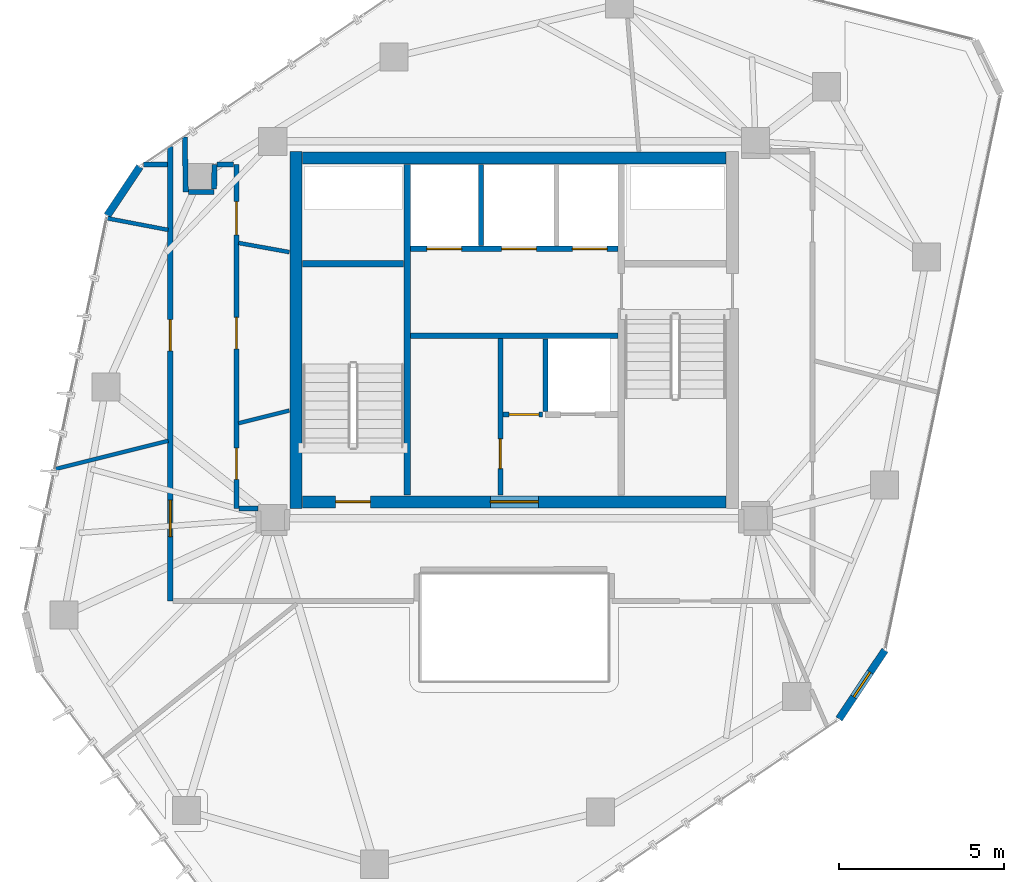
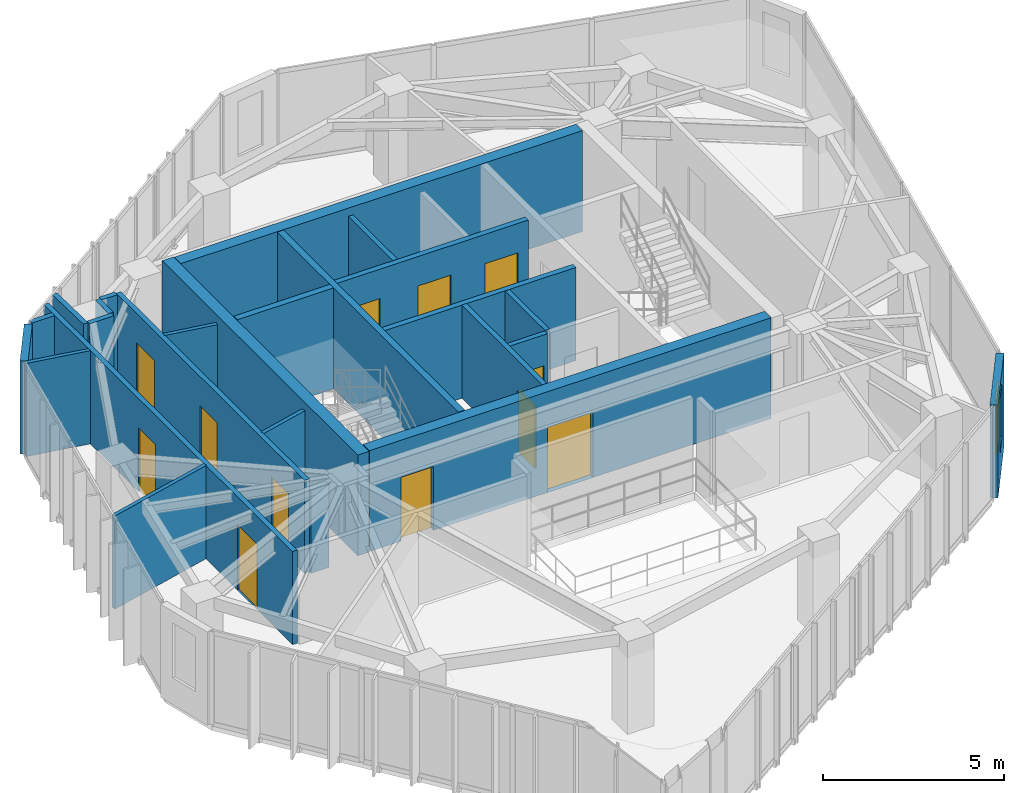
# One storey, part 17 of 20: 25 walls, 12 doors, 1 window, 13 openings.
"""IFC4 building model written with IfcOpenShell, lengths in metres."""

from ifc_helpers import new_model, si_unit, direction, frame, frame_2d, origin, place, context, subcontext, project, spatial, rectangle, extrude, source, transform, mapped, material, layer, layer_set, type_object, type_shapes, element, fill, save


model = new_model("IFC4")

# Units and contexts
model_context = context("Model", 3, precision=1e-05, world=origin(), true_north=direction((0.0, 1.0)))
body_context = subcontext(model_context, "Body", "Model", "MODEL_VIEW")
ifc_project = project(units=[si_unit("LENGTHUNIT", "METRE"), si_unit("AREAUNIT", "SQUARE_METRE"), si_unit("VOLUMEUNIT", "CUBIC_METRE"), si_unit("PLANEANGLEUNIT", "RADIAN"), si_unit("MASSUNIT", "GRAM", prefix="KILO")], contexts=[model_context])

# Site, building, storey
site_placement = place(None, origin())
site = spatial("IfcSite", under=ifc_project, at=site_placement, CompositionType="ELEMENT")
building_placement = place(site_placement, origin())
building = spatial("IfcBuilding", under=site, at=building_placement, Name="Talar Marvaseh", CompositionType="ELEMENT")
storey_placement = place(building_placement, frame((0.0, 0.0, 244.199951171875)))
storey = spatial("IfcBuildingStorey", under=building, at=storey_placement, Name="L64", CompositionType="ELEMENT", Elevation=244.199951171875)

# Wall
ifc_material_1 = material(Name="Precast concrete C45/55", Category="concrete")
ifc_layer_1 = layer(ifc_material_1, 0.22509765625)
ifc_layer_set_1 = layer_set([ifc_layer_1], Name="Precast concrete C45/55")
wall_type_1 = type_object("IfcWallType", Name="Chamfered Hexagonal Corner Pier Wall Z4 225", PredefinedType="SOLIDWALL", material=ifc_layer_set_1)
wall_1_placement = place(storey_placement, frame((13.69287109375, 34.652587890625, 0.0), z_axis=(0.0, 0.0, 1.0), x_axis=(0.555585849024, 0.83145917781, 0.0)))
element("IfcWall", 1, at=wall_1_placement, inside=storey, type_object=wall_type_1, Name="L64 Chamfered Corner Limestone Pier 3", PredefinedType="SOLIDWALL", context=body_context, shape_type="SweptSolid", body=[
    extrude(rectangle(XDim=1.780517578125, YDim=0.22509765625, at=frame_2d((0.89013671875, 0.0))), origin(), (0.0, 0.0, 1.0), 3.14013671875),
])

# Wall, opening, window
wall_2_placement = place(storey_placement, frame((37.210693359375, 21.51416015625, 0.0), z_axis=(0.0, 0.0, 1.0), x_axis=(-0.555510437055, -0.831509563579, 0.0)))
wall_2 = element("IfcWall", 2, at=wall_2_placement, inside=storey, type_object=wall_type_1, Name="L64 Chamfered Corner Limestone Pier 6", PredefinedType="SOLIDWALL", context=body_context, shape_type="SweptSolid", body=[
    extrude(rectangle(XDim=2.50244140625, YDim=0.22509765625, at=frame_2d((1.251220703125, 0.0))), origin(), (0.0, 0.0, 1.0), 3.14013671875),
])
opening_1_placement = place(wall_2_placement, frame((0.801025390625, 0.0, 0.89990234375)))
opening_1 = element("IfcOpeningElement", 3, at=opening_1_placement, cuts=wall_2, Name="Opening WN-CHM09", PredefinedType="OPENING", context=body_context, shape_type="SweptSolid", body=[
    extrude(rectangle(XDim=0.89990234375, YDim=1.85009765625, at=frame_2d((0.449951171875, 0.925048828125))), frame((0.0, 0.12255859375, 0.0), z_axis=(0.0, -1.0, 0.0), x_axis=(1.0, 0.0, 0.0)), (0.0, 0.0, 1.0), 0.2451171875),
])
ifc_material_2 = material(Name="Laminated Low-E Solar Glass", Category="glass")
window_type = type_object("IfcWindowType", Name="Zone 4 Chamfered Corner Slot Window 900x1850", PartitioningType="SINGLE_PANEL", PredefinedType="WINDOW", material=ifc_material_2)
shared_shape_1 = source(origin(), body_context, "Body", "SweptSolid", [
    extrude(rectangle(XDim=0.89990234375, YDim=1.85009765625, at=frame_2d((0.449951171875, 0.925048828125))), frame((0.0, 0.030029296875, 0.0), z_axis=(0.0, -1.0, 0.0), x_axis=(1.0, 0.0, 0.0)), (0.0, 0.0, 1.0), 0.06005859375),
])
type_shapes(window_type, [shared_shape_1])
window_placement = place(opening_1_placement, origin())
window = element("IfcWindow", 4, at=window_placement, inside=storey, type_object=window_type, Name="L64 Chamfered Corner Slot Window", OverallHeight=1.85009765625, OverallWidth=0.89990234375, PartitioningType="SINGLE_PANEL", PredefinedType="WINDOW", context=body_context, shape_type="MappedRepresentation", body=[
    mapped(shared_shape_1, transform((0.0, 0.0, 0.0), x_axis=(1.0, 0.0, 0.0), y_axis=(0.0, 1.0, 0.0), z_axis=(0.0, 0.0, 1.0), scale=1.0)),
])
fill(opening_1, window)

# Wall, opening, door
ifc_material_3 = material(Name="Gypsum Board Partition Assembly")
ifc_layer_2 = layer(ifc_material_3, 0.155029296875)
ifc_layer_set_2 = layer_set([ifc_layer_2], Name="Gypsum Board Partition Assembly")
wall_type_2 = type_object("IfcWallType", Name="Corridor Fire-Rated Acoustic Partition 155", PredefinedType="PARTITIONING", material=ifc_layer_set_2)
wall_3_placement = place(storey_placement, frame((25.580078125, 26.199951171875, 0.0), z_axis=(0.0, 0.0, 1.0), x_axis=(0.0, 1.0, 0.0)))
wall_3 = element("IfcWall", 5, at=wall_3_placement, inside=storey, type_object=wall_type_2, Name="L64 Core BOH Partition", PredefinedType="PARTITIONING", context=body_context, shape_type="SweptSolid", body=[
    extrude(rectangle(XDim=4.739990234375, YDim=0.155029296875, at=frame_2d((2.3701171875, 0.0))), origin(), (0.0, 0.0, 1.0), 3.14013671875),
])
opening_2_placement = place(wall_3_placement, frame((0.800048828125, 0.0, 0.0)))
opening_2 = element("IfcOpeningElement", 6, at=opening_2_placement, cuts=wall_3, Name="Opening DR-BOH090", PredefinedType="OPENING", context=body_context, shape_type="SweptSolid", body=[
    extrude(rectangle(XDim=0.89990234375, YDim=2.10009765625, at=frame_2d((0.449951171875, 1.050048828125))), frame((0.0, 0.08740234375, 0.0), z_axis=(0.0, -1.0, 0.0), x_axis=(1.0, 0.0, 0.0)), (0.0, 0.0, 1.0), 0.175048828125),
])
ifc_material_4 = material(Name="Fire-Rated Steel Door Leaf", Category="steel")
door_type_1 = type_object("IfcDoorType", Name="Core Back-of-House Service Door 900x2100", OperationType="NOTDEFINED", PredefinedType="DOOR", material=ifc_material_4)
shared_shape_2 = source(origin(), body_context, "Body", "SweptSolid", [
    extrude(rectangle(XDim=0.89990234375, YDim=2.10009765625, at=frame_2d((0.449951171875, 1.050048828125))), frame((0.0, 0.02490234375, 0.0), z_axis=(0.0, -1.0, 0.0), x_axis=(1.0, 0.0, 0.0)), (0.0, 0.0, 1.0), 0.050048828125),
])
type_shapes(door_type_1, [shared_shape_2])
door_1_placement = place(opening_2_placement, origin())
door_1 = element("IfcDoor", 7, at=door_1_placement, inside=storey, type_object=door_type_1, Name="L64 Store Sky Extended Archive Room Door", OperationType="SINGLE_SWING_LEFT", OverallHeight=2.10009765625, OverallWidth=0.89990234375, PredefinedType="DOOR", context=body_context, shape_type="MappedRepresentation", body=[
    mapped(shared_shape_2, transform((0.0, 0.0, 0.0), x_axis=(1.0, 0.0, 0.0), y_axis=(0.0, 1.0, 0.0), z_axis=(0.0, 0.0, 1.0), scale=1.0)),
])
fill(opening_2, door_1)

wall_4_placement = place(storey_placement, frame((25.66357421875, 28.639892578125, 0.0), z_axis=(0.0, 0.0, 1.0), x_axis=(1.0, 0.0, 0.0)))
wall_4 = element("IfcWall", 8, at=wall_4_placement, inside=storey, type_object=wall_type_2, Name="L64 Core BOH Partition", PredefinedType="PARTITIONING", context=body_context, shape_type="SweptSolid", body=[
    extrude(rectangle(XDim=1.196533203125, YDim=0.155029296875, at=frame_2d((0.59814453125, 0.0))), origin(), (0.0, 0.0, 1.0), 3.14013671875),
])
opening_3_placement = place(wall_4_placement, frame((0.179931640625, 0.0, 0.0)))
opening_3 = element("IfcOpeningElement", 9, at=opening_3_placement, cuts=wall_4, Name="Opening DR-BOH090", PredefinedType="OPENING", context=body_context, shape_type="SweptSolid", body=[
    extrude(rectangle(XDim=0.89990234375, YDim=2.10009765625, at=frame_2d((0.449951171875, 1.050048828125))), frame((0.0, 0.08740234375, 0.0), z_axis=(0.0, -1.0, 0.0), x_axis=(1.0, 0.0, 0.0)), (0.0, 0.0, 1.0), 0.175048828125),
])
door_2_placement = place(opening_3_placement, origin())
door_2 = element("IfcDoor", 10, at=door_2_placement, inside=storey, type_object=door_type_1, Name="L64 Cleaner Sky Closet Door", OperationType="SINGLE_SWING_RIGHT", OverallHeight=2.10009765625, OverallWidth=0.89990234375, PredefinedType="DOOR", context=body_context, shape_type="MappedRepresentation", body=[
    mapped(shared_shape_2, transform((0.0, 0.0, 0.0), x_axis=(1.0, 0.0, 0.0), y_axis=(0.0, 1.0, 0.0), z_axis=(0.0, 0.0, 1.0), scale=1.0)),
])
fill(opening_3, door_2)

# Wall, openings, doors
wall_5_placement = place(storey_placement, frame((17.60009765625, 36.199951171875, 0.0), z_axis=(0.0, 0.0, 1.0), x_axis=(0.0, -1.0, 0.0)))
wall_5 = element("IfcWall", 11, at=wall_5_placement, inside=storey, type_object=wall_type_2, Name="L64 Interior Partition Wall", PredefinedType="PARTITIONING", context=body_context, shape_type="SweptSolid", body=[
    extrude(rectangle(XDim=10.39990234375, YDim=0.155029296875, at=frame_2d((5.199951171875, 0.0))), origin(), (0.0, 0.0, 1.0), 3.14013671875),
])
opening_4_placement = place(wall_5_placement, frame((8.573486328125, 0.0, 0.0)))
opening_4 = element("IfcOpeningElement", 12, at=opening_4_placement, cuts=wall_5, Name="Opening DR-WC095", PredefinedType="OPENING", context=body_context, shape_type="SweptSolid", body=[
    extrude(rectangle(XDim=0.949951171875, YDim=2.14990234375, at=frame_2d((0.47509765625, 1.074951171875))), frame((0.0, 0.08740234375, 0.0), z_axis=(0.0, -1.0, 0.0), x_axis=(1.0, 0.0, 0.0)), (0.0, 0.0, 1.0), 0.175048828125),
])
opening_5_placement = place(wall_5_placement, frame((1.125, 0.0, 0.0)))
opening_5 = element("IfcOpeningElement", 13, at=opening_5_placement, cuts=wall_5, Name="Opening DR-RM100", PredefinedType="OPENING", context=body_context, shape_type="SweptSolid", body=[
    extrude(rectangle(XDim=1.0, YDim=2.14990234375, at=frame_2d((0.5, 1.074951171875))), frame((0.0, 0.08740234375, 0.0), z_axis=(0.0, -1.0, 0.0), x_axis=(1.0, 0.0, 0.0)), (0.0, 0.0, 1.0), 0.175048828125),
])
opening_6_placement = place(wall_5_placement, frame((4.62451171875, 0.0, 0.0)))
opening_6 = element("IfcOpeningElement", 14, at=opening_6_placement, cuts=wall_5, Name="Opening DR-WC095", PredefinedType="OPENING", context=body_context, shape_type="SweptSolid", body=[
    extrude(rectangle(XDim=0.949951171875, YDim=2.14990234375, at=frame_2d((0.47509765625, 1.074951171875))), frame((0.0, 0.08740234375, 0.0), z_axis=(0.0, -1.0, 0.0), x_axis=(1.0, 0.0, 0.0)), (0.0, 0.0, 1.0), 0.175048828125),
])
ifc_material_5 = material(Name="Acoustic Engineered Oak Timber", Category="wood")
door_type_2 = type_object("IfcDoorType", Name="Washroom and Service Room Door 950x2150", OperationType="NOTDEFINED", PredefinedType="DOOR", material=ifc_material_5)
shared_shape_3 = source(origin(), body_context, "Body", "SweptSolid", [
    extrude(rectangle(XDim=0.949951171875, YDim=2.14990234375, at=frame_2d((0.47509765625, 1.074951171875))), frame((0.0, 0.02490234375, 0.0), z_axis=(0.0, -1.0, 0.0), x_axis=(1.0, 0.0, 0.0)), (0.0, 0.0, 1.0), 0.050048828125),
])
type_shapes(door_type_2, [shared_shape_3])
door_3_placement = place(opening_4_placement, origin())
door_3 = element("IfcDoor", 15, at=door_3_placement, inside=storey, type_object=door_type_2, Name="L64 WC Public Washrooms Door", OperationType="SINGLE_SWING_LEFT", OverallHeight=2.14990234375, OverallWidth=0.949951171875, PredefinedType="DOOR", context=body_context, shape_type="MappedRepresentation", body=[
    mapped(shared_shape_3, transform((0.0, 0.0, 0.0), x_axis=(1.0, 0.0, 0.0), y_axis=(0.0, 1.0, 0.0), z_axis=(0.0, 0.0, 1.0), scale=1.0)),
])
fill(opening_4, door_3)
door_4_placement = place(opening_6_placement, origin())
door_4 = element("IfcDoor", 16, at=door_4_placement, inside=storey, type_object=door_type_2, Name="L64 Accessible WC Door", OperationType="SINGLE_SWING_LEFT", OverallHeight=2.14990234375, OverallWidth=0.949951171875, PredefinedType="DOOR", context=body_context, shape_type="MappedRepresentation", body=[
    mapped(shared_shape_3, transform((0.0, 0.0, 0.0), x_axis=(1.0, 0.0, 0.0), y_axis=(0.0, 1.0, 0.0), z_axis=(0.0, 0.0, 1.0), scale=1.0)),
])
fill(opening_6, door_4)
door_type_3 = type_object("IfcDoorType", Name="Corridor Fire-Rated Gallery Door 1000x2150", OperationType="NOTDEFINED", PredefinedType="DOOR", material=ifc_material_5)
shared_shape_4 = source(origin(), body_context, "Body", "SweptSolid", [
    extrude(rectangle(XDim=1.0, YDim=2.14990234375, at=frame_2d((0.5, 1.074951171875))), frame((0.0, 0.02490234375, 0.0), z_axis=(0.0, -1.0, 0.0), x_axis=(1.0, 0.0, 0.0)), (0.0, 0.0, 1.0), 0.050048828125),
])
type_shapes(door_type_3, [shared_shape_4])
door_5_placement = place(opening_5_placement, origin())
door_5 = element("IfcDoor", 17, at=door_5_placement, inside=storey, type_object=door_type_3, Name="L64 Scholars' Registration Reception Door", OperationType="SINGLE_SWING_RIGHT", OverallHeight=2.14990234375, OverallWidth=1.0, PredefinedType="DOOR", context=body_context, shape_type="MappedRepresentation", body=[
    mapped(shared_shape_4, transform((0.0, 0.0, 0.0), x_axis=(1.0, 0.0, 0.0), y_axis=(0.0, 1.0, 0.0), z_axis=(0.0, 0.0, 1.0), scale=1.0)),
])
fill(opening_5, door_5)

wall_6_placement = place(storey_placement, frame((15.60009765625, 23.0, 0.0), z_axis=(0.0, 0.0, 1.0), x_axis=(0.0, 1.0, 0.0)))
wall_6 = element("IfcWall", 18, at=wall_6_placement, inside=storey, type_object=wall_type_2, Name="L64 Interior Partition Wall", PredefinedType="PARTITIONING", context=body_context, shape_type="SweptSolid", body=[
    extrude(rectangle(XDim=13.73681640625, YDim=0.155029296875, at=frame_2d((6.868408203125, 0.0))), origin(), (0.0, 0.0, 1.0), 3.14013671875),
])
opening_7_placement = place(wall_6_placement, frame((1.94970703125, 0.0, 0.0)))
opening_7 = element("IfcOpeningElement", 19, at=opening_7_placement, cuts=wall_6, Name="Opening DR-RM110", PredefinedType="OPENING", context=body_context, shape_type="SweptSolid", body=[
    extrude(rectangle(XDim=1.10009765625, YDim=2.199951171875, at=frame_2d((0.550048828125, 1.10009765625))), frame((0.0, 0.08740234375, 0.0), z_axis=(0.0, -1.0, 0.0), x_axis=(1.0, 0.0, 0.0)), (0.0, 0.0, 1.0), 0.175048828125),
])
opening_8_placement = place(wall_6_placement, frame((7.56103515625, 0.0, 0.0)))
opening_8 = element("IfcOpeningElement", 20, at=opening_8_placement, cuts=wall_6, Name="Opening DR-WC095", PredefinedType="OPENING", context=body_context, shape_type="SweptSolid", body=[
    extrude(rectangle(XDim=0.949951171875, YDim=2.14990234375, at=frame_2d((0.47509765625, 1.074951171875))), frame((0.0, 0.08740234375, 0.0), z_axis=(0.0, -1.0, 0.0), x_axis=(1.0, 0.0, 0.0)), (0.0, 0.0, 1.0), 0.175048828125),
])
door_6_placement = place(opening_8_placement, origin())
door_6 = element("IfcDoor", 21, at=door_6_placement, inside=storey, type_object=door_type_2, Name="L64 Fellows' Coffee Pantry Door", OperationType="SINGLE_SWING_RIGHT", OverallHeight=2.14990234375, OverallWidth=0.949951171875, PredefinedType="DOOR", context=body_context, shape_type="MappedRepresentation", body=[
    mapped(shared_shape_3, transform((0.0, 0.0, 0.0), x_axis=(1.0, 0.0, 0.0), y_axis=(0.0, 1.0, 0.0), z_axis=(0.0, 0.0, 1.0), scale=1.0)),
])
fill(opening_8, door_6)
door_type_4 = type_object("IfcDoorType", Name="Assembly and Reading Hall Door 1100x2200", OperationType="NOTDEFINED", PredefinedType="DOOR", material=ifc_material_5)
shared_shape_5 = source(origin(), body_context, "Body", "SweptSolid", [
    extrude(rectangle(XDim=1.10009765625, YDim=2.199951171875, at=frame_2d((0.550048828125, 1.10009765625))), frame((0.0, 0.02490234375, 0.0), z_axis=(0.0, -1.0, 0.0), x_axis=(1.0, 0.0, 0.0)), (0.0, 0.0, 1.0), 0.050048828125),
])
type_shapes(door_type_4, [shared_shape_5])
door_7_placement = place(opening_7_placement, origin())
door_7 = element("IfcDoor", 22, at=door_7_placement, inside=storey, type_object=door_type_4, Name="L64 Gallery Concierge Reception Door", OperationType="SINGLE_SWING_RIGHT", OverallHeight=2.199951171875, OverallWidth=1.10009765625, PredefinedType="DOOR", context=body_context, shape_type="MappedRepresentation", body=[
    mapped(shared_shape_5, transform((0.0, 0.0, 0.0), x_axis=(1.0, 0.0, 0.0), y_axis=(0.0, 1.0, 0.0), z_axis=(0.0, 0.0, 1.0), scale=1.0)),
])
fill(opening_7, door_7)

# Walls
wall_7_placement = place(storey_placement, frame((16.0390625, 37.03466796875, 0.0), z_axis=(0.0, 0.0, 1.0), x_axis=(0.018003230161, -0.999837928718, 0.0)))
element("IfcWall", 23, at=wall_7_placement, inside=storey, type_object=wall_type_2, Name="L64 Interior Partition Wall", PredefinedType="PARTITIONING", context=body_context, shape_type="SweptSolid", body=[
    extrude(rectangle(XDim=1.66796875, YDim=0.155029296875, at=frame_2d((0.833984375, 0.0))), origin(), (0.0, 0.0, 1.0), 3.14013671875),
])
wall_8_placement = place(storey_placement, frame((16.152587890625, 35.3671875, 0.0), z_axis=(0.0, 0.0, 1.0), x_axis=(0.999997558852, 0.002209590566, 0.0)))
element("IfcWall", 24, at=wall_8_placement, inside=storey, type_object=wall_type_2, Name="L64 Interior Partition Wall", PredefinedType="PARTITIONING", context=body_context, shape_type="SweptSolid", body=[
    extrude(rectangle(XDim=0.7734375, YDim=0.155029296875, at=frame_2d((0.38671875, 0.0))), origin(), (0.0, 0.0, 1.0), 3.14013671875),
])
wall_9_placement = place(storey_placement, frame((16.927001953125, 35.452392578125, 0.0), z_axis=(0.0, 0.0, 1.0), x_axis=(0.009470509294, 0.999955153721, 0.0)))
element("IfcWall", 25, at=wall_9_placement, inside=storey, type_object=wall_type_2, Name="L64 Interior Partition Wall", PredefinedType="PARTITIONING", context=body_context, shape_type="SweptSolid", body=[
    extrude(rectangle(XDim=0.74755859375, YDim=0.155029296875, at=frame_2d((0.373779296875, 0.0))), origin(), (0.0, 0.0, 1.0), 3.14013671875),
])
wall_10_placement = place(storey_placement, frame((17.017578125, 36.199951171875, 0.0), z_axis=(0.0, 0.0, 1.0), x_axis=(1.0, 0.0, 0.0)))
element("IfcWall", 26, at=wall_10_placement, inside=storey, type_object=wall_type_2, Name="L64 Interior Partition Wall", PredefinedType="PARTITIONING", context=body_context, shape_type="SweptSolid", body=[
    extrude(rectangle(XDim=0.4990234375, YDim=0.155029296875, at=frame_2d((0.24951171875, 0.0))), origin(), (0.0, 0.0, 1.0), 3.14013671875),
])
wall_11_placement = place(storey_placement, frame((17.68359375, 25.800048828125, 0.0), z_axis=(0.0, 0.0, 1.0), x_axis=(1.0, 0.0, 0.0)))
element("IfcWall", 27, at=wall_11_placement, inside=storey, type_object=wall_type_2, Name="L64 Interior Partition Wall", PredefinedType="PARTITIONING", context=body_context, shape_type="SweptSolid", body=[
    extrude(rectangle(XDim=0.576416015625, YDim=0.155029296875, at=frame_2d((0.2880859375, 0.0))), origin(), (0.0, 0.0, 1.0), 2.802001953125),
])
wall_12_placement = place(storey_placement, frame((14.7978515625, 36.199951171875, 0.0), z_axis=(0.0, 0.0, 1.0), x_axis=(1.0, 0.0, 0.0)))
element("IfcWall", 28, at=wall_12_placement, inside=storey, type_object=wall_type_2, Name="L64 Interior Partition Wall", PredefinedType="PARTITIONING", context=body_context, shape_type="SweptSolid", body=[
    extrude(rectangle(XDim=0.71875, YDim=0.155029296875, at=frame_2d((0.359375, 0.0))), origin(), (0.0, 0.0, 1.0), 3.14013671875),
])
ifc_layer_3 = layer(ifc_material_3, 0.1201171875)
ifc_layer_set_3 = layer_set([ifc_layer_3], Name="Gypsum Board Partition Assembly")
wall_type_3 = type_object("IfcWallType", Name="Demountable Studio Room Partition 120", PredefinedType="PARTITIONING", material=ifc_layer_set_3)
wall_13_placement = place(storey_placement, frame((17.6630859375, 28.375732421875, 0.0), z_axis=(0.0, 0.0, 1.0), x_axis=(0.970133434071, 0.242571886454, 0.0)))
element("IfcWall", 29, at=wall_13_placement, inside=storey, type_object=wall_type_3, Name="L64 Interior Partition Wall", PredefinedType="PARTITIONING", context=body_context, shape_type="SweptSolid", body=[
    extrude(rectangle(XDim=1.584228515625, YDim=0.1201171875, at=frame_2d((0.7919921875, 0.0))), origin(), (0.0, 0.0, 1.0), 3.14013671875),
])
wall_14_placement = place(storey_placement, frame((12.12744140625, 26.991943359375, 0.0), z_axis=(0.0, 0.0, 1.0), x_axis=(0.97014658647, 0.242519279153, 0.0)))
element("IfcWall", 30, at=wall_14_placement, inside=storey, type_object=wall_type_3, Name="L64 Interior Partition Wall", PredefinedType="PARTITIONING", context=body_context, shape_type="SweptSolid", body=[
    extrude(rectangle(XDim=3.514404296875, YDim=0.1201171875, at=frame_2d((1.75732421875, 0.0))), origin(), (0.0, 0.0, 1.0), 3.14013671875),
])
wall_15_placement = place(storey_placement, frame((19.199951171875, 33.550048828125, 0.0), z_axis=(0.0, 0.0, 1.0), x_axis=(-0.983974847736, 0.178307316233, 0.0)))
element("IfcWall", 31, at=wall_15_placement, inside=storey, type_object=wall_type_3, Name="L64 Interior Partition Wall", PredefinedType="PARTITIONING", context=body_context, shape_type="SweptSolid", body=[
    extrude(rectangle(XDim=1.560791015625, YDim=0.1201171875, at=frame_2d((0.7802734375, 0.0))), origin(), (0.0, 0.0, 1.0), 3.14013671875),
])
wall_16_placement = place(storey_placement, frame((15.5361328125, 34.22216796875, 0.0), z_axis=(0.0, 0.0, 1.0), x_axis=(-0.982278008645, 0.187429756795, 0.0)))
element("IfcWall", 32, at=wall_16_placement, inside=storey, type_object=wall_type_3, Name="L64 Interior Partition Wall", PredefinedType="PARTITIONING", context=body_context, shape_type="SweptSolid", body=[
    extrude(rectangle(XDim=1.871826171875, YDim=0.1201171875, at=frame_2d((0.93603515625, 0.0))), origin(), (0.0, 0.0, 1.0), 3.14013671875),
])
ifc_layer_4 = layer(ifc_material_1, 0.14501953125)
ifc_layer_set_4 = layer_set([ifc_layer_4], Name="Precast concrete C45/55")
wall_type_4 = type_object("IfcWallType", Name="Fire-Rated Lift Divider Wall 145", PredefinedType="SOLIDWALL", material=ifc_layer_set_4)
wall_17_placement = place(storey_placement, frame((25.0, 33.743408203125, 0.0), z_axis=(0.0, 0.0, 1.0), x_axis=(0.0, 1.0, 0.0)))
element("IfcWall", 33, at=wall_17_placement, inside=storey, type_object=wall_type_4, Name="L64 FFL-1/FFL-2 Divider", PredefinedType="SOLIDWALL", context=body_context, shape_type="SweptSolid", body=[
    extrude(rectangle(XDim=2.45654296875, YDim=0.14501953125, at=frame_2d((1.228271484375, 0.0))), origin(), (0.0, 0.0, 1.0), 3.14013671875),
])
wall_18_placement = place(storey_placement, frame((26.949951171875, 28.7333984375, 0.0), z_axis=(0.0, 0.0, 1.0), x_axis=(0.0, 1.0, 0.0)))
element("IfcWall", 34, at=wall_18_placement, inside=storey, type_object=wall_type_4, Name="L64 PL-H3 West Shaft Wall", PredefinedType="SOLIDWALL", context=body_context, shape_type="SweptSolid", body=[
    extrude(rectangle(XDim=2.193115234375, YDim=0.14501953125, at=frame_2d((1.0966796875, 0.0))), origin(), (0.0, 0.0, 1.0), 3.14013671875),
])

# Wall, openings, doors
ifc_layer_5 = layer(ifc_material_1, 0.175048828125)
ifc_layer_set_5 = layer_set([ifc_layer_5], Name="Precast concrete C45/55")
wall_type_5 = type_object("IfcWallType", Name="Fire-Rated Lift Hoistway Enclosure Wall 175", PredefinedType="SOLIDWALL", material=ifc_layer_set_5)
wall_19_placement = place(storey_placement, frame((22.860107421875, 33.64990234375, 0.0), z_axis=(0.0, 0.0, 1.0), x_axis=(1.0, 0.0, 0.0)))
wall_19 = element("IfcWall", 35, at=wall_19_placement, inside=storey, type_object=wall_type_5, Name="L64 Firefighting and Service Lift Front Wall", PredefinedType="SOLIDWALL", context=body_context, shape_type="SweptSolid", body=[
    extrude(rectangle(XDim=6.27978515625, YDim=0.175048828125, at=frame_2d((3.139892578125, 0.0))), origin(), (0.0, 0.0, 1.0), 3.14013671875),
])
opening_9_placement = place(wall_19_placement, frame((0.5, 0.0, 0.0)))
opening_9 = element("IfcOpeningElement", 36, at=opening_9_placement, cuts=wall_19, Name="Opening LD-FF1", PredefinedType="OPENING", context=body_context, shape_type="SweptSolid", body=[
    extrude(rectangle(XDim=1.050048828125, YDim=2.14990234375, at=frame_2d((0.52490234375, 1.074951171875))), frame((0.0, 0.09765625, 0.0), z_axis=(0.0, -1.0, 0.0), x_axis=(1.0, 0.0, 0.0)), (0.0, 0.0, 1.0), 0.195068359375),
])
opening_10_placement = place(wall_19_placement, frame((2.760009765625, 0.0, 0.0)))
opening_10 = element("IfcOpeningElement", 37, at=opening_10_placement, cuts=wall_19, Name="Opening LD-FF2", PredefinedType="OPENING", context=body_context, shape_type="SweptSolid", body=[
    extrude(rectangle(XDim=1.050048828125, YDim=2.14990234375, at=frame_2d((0.52490234375, 1.074951171875))), frame((0.0, 0.09765625, 0.0), z_axis=(0.0, -1.0, 0.0), x_axis=(1.0, 0.0, 0.0)), (0.0, 0.0, 1.0), 0.195068359375),
])
opening_11_placement = place(wall_19_placement, frame((4.89990234375, 0.0, 0.0)))
opening_11 = element("IfcOpeningElement", 38, at=opening_11_placement, cuts=wall_19, Name="Opening LD-SV1", PredefinedType="OPENING", context=body_context, shape_type="SweptSolid", body=[
    extrude(rectangle(XDim=1.050048828125, YDim=2.14990234375, at=frame_2d((0.52490234375, 1.074951171875))), frame((0.0, 0.09765625, 0.0), z_axis=(0.0, -1.0, 0.0), x_axis=(1.0, 0.0, 0.0)), (0.0, 0.0, 1.0), 0.195068359375),
])
ifc_material_6 = material(Name="Stainless Steel Grade 316", Category="steel")
door_type_5 = type_object("IfcDoorType", Name="Automatic Sliding Lift Landing Door 1050x2150", OperationType="NOTDEFINED", PredefinedType="DOOR", material=ifc_material_6)
shared_shape_6 = source(origin(), body_context, "Body", "SweptSolid", [
    extrude(rectangle(XDim=1.050048828125, YDim=2.14990234375, at=frame_2d((0.52490234375, 1.074951171875))), frame((0.0, 0.02490234375, 0.0), z_axis=(0.0, -1.0, 0.0), x_axis=(1.0, 0.0, 0.0)), (0.0, 0.0, 1.0), 0.050048828125),
])
type_shapes(door_type_5, [shared_shape_6])
door_8_placement = place(opening_9_placement, origin())
door_8 = element("IfcDoor", 39, at=door_8_placement, inside=storey, type_object=door_type_5, Name="L64 Lift FFL-1 Sliding Landing Door", OperationType="SLIDING_TO_LEFT", OverallHeight=2.14990234375, OverallWidth=1.050048828125, PredefinedType="DOOR", context=body_context, shape_type="MappedRepresentation", body=[
    mapped(shared_shape_6, transform((0.0, 0.0, 0.0), x_axis=(1.0, 0.0, 0.0), y_axis=(0.0, 1.0, 0.0), z_axis=(0.0, 0.0, 1.0), scale=1.0)),
])
fill(opening_9, door_8)
door_9_placement = place(opening_10_placement, origin())
door_9 = element("IfcDoor", 40, at=door_9_placement, inside=storey, type_object=door_type_5, Name="L64 Lift FFL-2 Sliding Landing Door", OperationType="SLIDING_TO_LEFT", OverallHeight=2.14990234375, OverallWidth=1.050048828125, PredefinedType="DOOR", context=body_context, shape_type="MappedRepresentation", body=[
    mapped(shared_shape_6, transform((0.0, 0.0, 0.0), x_axis=(1.0, 0.0, 0.0), y_axis=(0.0, 1.0, 0.0), z_axis=(0.0, 0.0, 1.0), scale=1.0)),
])
fill(opening_10, door_9)
door_10_placement = place(opening_11_placement, origin())
door_10 = element("IfcDoor", 41, at=door_10_placement, inside=storey, type_object=door_type_5, Name="L64 Lift SVL-1 Sliding Landing Door", OperationType="SLIDING_TO_LEFT", OverallHeight=2.14990234375, OverallWidth=1.050048828125, PredefinedType="DOOR", context=body_context, shape_type="MappedRepresentation", body=[
    mapped(shared_shape_6, transform((0.0, 0.0, 0.0), x_axis=(1.0, 0.0, 0.0), y_axis=(0.0, 1.0, 0.0), z_axis=(0.0, 0.0, 1.0), scale=1.0)),
])
fill(opening_11, door_10)

# Walls
wall_20_placement = place(storey_placement, frame((22.860107421875, 31.02001953125, 0.0), z_axis=(0.0, 0.0, 1.0), x_axis=(1.0, 0.0, 0.0)))
element("IfcWall", 42, at=wall_20_placement, inside=storey, type_object=wall_type_5, Name="L64 Firefighting Lobby South Smoke Wall", PredefinedType="SOLIDWALL", context=body_context, shape_type="SweptSolid", body=[
    extrude(rectangle(XDim=6.27978515625, YDim=0.175048828125, at=frame_2d((3.139892578125, 0.0))), origin(), (0.0, 0.0, 1.0), 3.14013671875),
])
ifc_material_7 = material(Name="Concrete C50/60", Category="concrete")
ifc_layer_6 = layer(ifc_material_7, 0.199951171875)
ifc_layer_set_6 = layer_set([ifc_layer_6], Name="Concrete C50/60")
wall_type_6 = type_object("IfcWallType", Name="Stair Shaft Structural Concrete Shear Wall 200", PredefinedType="SHEAR", material=ifc_layer_set_6)
wall_21_placement = place(storey_placement, frame((22.760009765625, 26.199951171875, 0.0), z_axis=(0.0, 0.0, 1.0), x_axis=(0.0, 1.0, 0.0)))
element("IfcWall", 43, at=wall_21_placement, inside=storey, type_object=wall_type_6, Name="L64 Core West Stair Shear Wall", PredefinedType="SHEAR", context=body_context, shape_type="SweptSolid", body=[
    extrude(rectangle(XDim=10.0, YDim=0.199951171875, at=frame_2d((5.0, 0.0))), origin(), (0.0, 0.0, 1.0), 3.400146484375),
])
wall_22_placement = place(storey_placement, frame((19.60009765625, 33.199951171875, 0.0), z_axis=(0.0, 0.0, 1.0), x_axis=(1.0, 0.0, 0.0)))
element("IfcWall", 44, at=wall_22_placement, inside=storey, type_object=wall_type_6, Name="L64 Stair ST-1 North Shear Wall", PredefinedType="SHEAR", context=body_context, shape_type="SweptSolid", body=[
    extrude(rectangle(XDim=3.059814453125, YDim=0.199951171875, at=frame_2d((1.52978515625, 0.0))), origin(), (0.0, 0.0, 1.0), 3.400146484375),
])
ifc_layer_7 = layer(ifc_material_7, 0.360107421875)
ifc_layer_set_7 = layer_set([ifc_layer_7], Name="Concrete C50/60")
wall_type_7 = type_object("IfcWallType", Name="Upper Core Reinforced Concrete Shear Wall 360", PredefinedType="SHEAR", material=ifc_layer_set_7)
wall_23_placement = place(storey_placement, frame((19.39990234375, 25.800048828125, 0.0), z_axis=(0.0, 0.0, 1.0), x_axis=(0.0, 1.0, 0.0)))
element("IfcWall", 45, at=wall_23_placement, inside=storey, type_object=wall_type_7, Name="L64 West Core Shear Wall", PredefinedType="SHEAR", context=body_context, shape_type="SweptSolid", body=[
    extrude(rectangle(XDim=10.800048828125, YDim=0.360107421875, at=frame_2d((5.39990234375, 0.0))), origin(), (0.0, 0.0, 1.0), 3.400146484375),
])
wall_24_placement = place(storey_placement, frame((19.60009765625, 36.39990234375, 0.0), z_axis=(0.0, 0.0, 1.0), x_axis=(1.0, 0.0, 0.0)))
element("IfcWall", 46, at=wall_24_placement, inside=storey, type_object=wall_type_7, Name="L64 North Core Shear Wall", PredefinedType="SHEAR", context=body_context, shape_type="SweptSolid", body=[
    extrude(rectangle(XDim=12.7998046875, YDim=0.360107421875, at=frame_2d((6.39990234375, 0.0))), origin(), (0.0, 0.0, 1.0), 3.400146484375),
])

# Wall, openings, doors
wall_25_placement = place(storey_placement, frame((32.39990234375, 26.0, 0.0), z_axis=(0.0, 0.0, 1.0), x_axis=(-1.0, 0.0, 0.0)))
wall_25 = element("IfcWall", 47, at=wall_25_placement, inside=storey, type_object=wall_type_7, Name="L64 South Core Shear Wall", PredefinedType="SHEAR", context=body_context, shape_type="SweptSolid", body=[
    extrude(rectangle(XDim=12.7998046875, YDim=0.360107421875, at=frame_2d((6.39990234375, 0.0))), origin(), (0.0, 0.0, 1.0), 3.400146484375),
])
opening_12_placement = place(wall_25_placement, frame((10.75, 0.0, 0.0)))
opening_12 = element("IfcOpeningElement", 48, at=opening_12_placement, cuts=wall_25, Name="Opening DR-ST105", PredefinedType="OPENING", context=body_context, shape_type="SweptSolid", body=[
    extrude(rectangle(XDim=1.050048828125, YDim=2.14990234375, at=frame_2d((0.52490234375, 1.074951171875))), frame((0.0, 0.18994140625, 0.0), z_axis=(0.0, -1.0, 0.0), x_axis=(1.0, 0.0, 0.0)), (0.0, 0.0, 1.0), 0.380126953125),
])
opening_13_placement = place(wall_25_placement, frame((5.669921875, 0.0, 0.0)))
opening_13 = element("IfcOpeningElement", 49, at=opening_13_placement, cuts=wall_25, Name="Opening DR-LBY145", PredefinedType="OPENING", context=body_context, shape_type="SweptSolid", body=[
    extrude(rectangle(XDim=1.449951171875, YDim=2.199951171875, at=frame_2d((0.72509765625, 1.10009765625))), frame((0.0, 0.18994140625, 0.0), z_axis=(0.0, -1.0, 0.0), x_axis=(1.0, 0.0, 0.0)), (0.0, 0.0, 1.0), 0.380126953125),
])
door_type_6 = type_object("IfcDoorType", Name="Protected Exit Stair Fire Door 1050x2150", OperationType="NOTDEFINED", PredefinedType="DOOR", material=ifc_material_4)
shared_shape_7 = source(origin(), body_context, "Body", "SweptSolid", [
    extrude(rectangle(XDim=1.050048828125, YDim=2.14990234375, at=frame_2d((0.52490234375, 1.074951171875))), frame((0.0, 0.02490234375, 0.0), z_axis=(0.0, -1.0, 0.0), x_axis=(1.0, 0.0, 0.0)), (0.0, 0.0, 1.0), 0.050048828125),
])
type_shapes(door_type_6, [shared_shape_7])
door_11_placement = place(opening_12_placement, origin())
door_11 = element("IfcDoor", 50, at=door_11_placement, inside=storey, type_object=door_type_6, Name="L64 Stair ST-1 Exit Door", OperationType="SINGLE_SWING_RIGHT", OverallHeight=2.14990234375, OverallWidth=1.050048828125, PredefinedType="DOOR", context=body_context, shape_type="MappedRepresentation", body=[
    mapped(shared_shape_7, transform((0.0, 0.0, 0.0), x_axis=(1.0, 0.0, 0.0), y_axis=(0.0, 1.0, 0.0), z_axis=(0.0, 0.0, 1.0), scale=1.0)),
])
fill(opening_12, door_11)
door_type_7 = type_object("IfcDoorType", Name="Core Lift Lobby Double Smoke Door 1450x2200", OperationType="NOTDEFINED", PredefinedType="DOOR", material=ifc_material_4)
shared_shape_8 = source(origin(), body_context, "Body", "SweptSolid", [
    extrude(rectangle(XDim=1.449951171875, YDim=2.199951171875, at=frame_2d((0.72509765625, 1.10009765625))), frame((0.0, 0.02490234375, 0.0), z_axis=(0.0, -1.0, 0.0), x_axis=(1.0, 0.0, 0.0)), (0.0, 0.0, 1.0), 0.050048828125),
])
type_shapes(door_type_7, [shared_shape_8])
door_12_placement = place(opening_13_placement, origin())
door_12 = element("IfcDoor", 51, at=door_12_placement, inside=storey, type_object=door_type_7, Name="L64 Passenger Lift Lobby Entrance Door", OperationType="DOUBLE_DOOR_SINGLE_SWING", OverallHeight=2.199951171875, OverallWidth=1.449951171875, PredefinedType="DOOR", context=body_context, shape_type="MappedRepresentation", body=[
    mapped(shared_shape_8, transform((0.0, 0.0, 0.0), x_axis=(1.0, 0.0, 0.0), y_axis=(0.0, 1.0, 0.0), z_axis=(0.0, 0.0, 1.0), scale=1.0)),
])
fill(opening_13, door_12)

save(model, "model.ifc")
